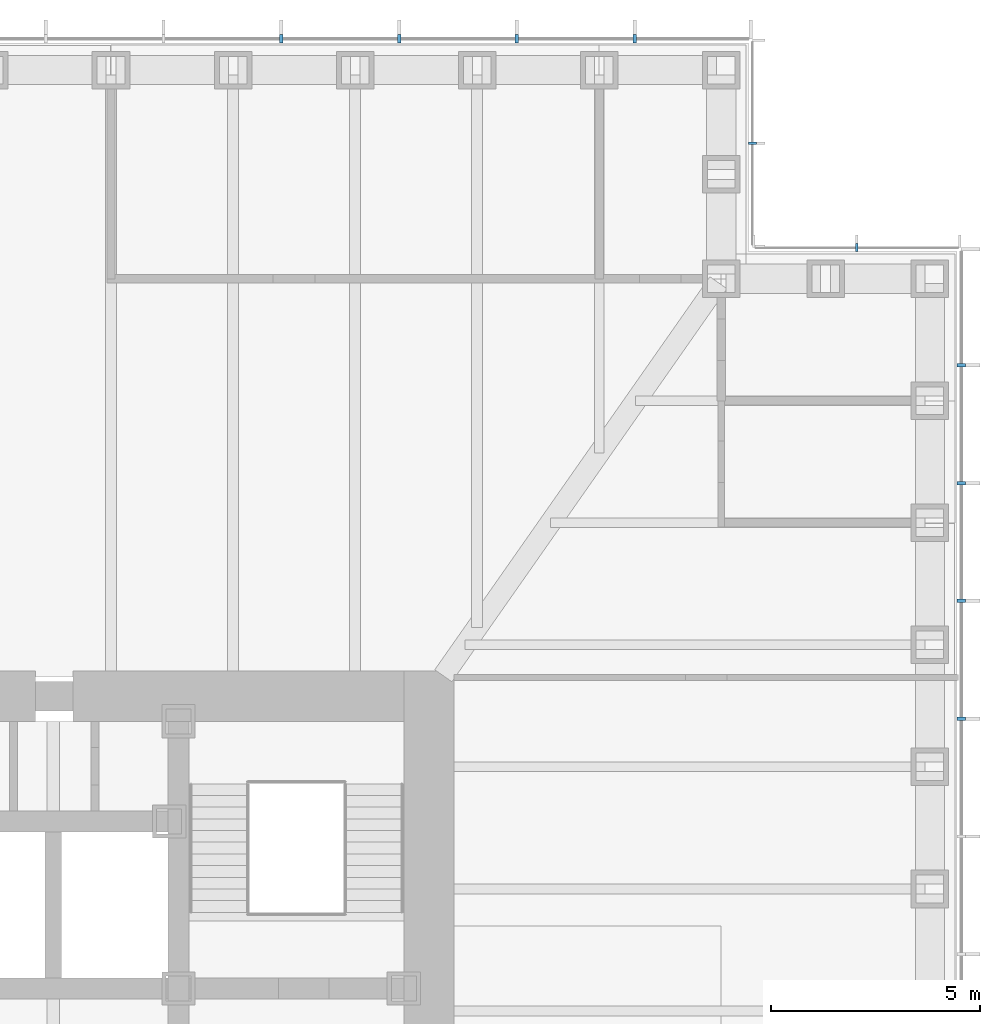
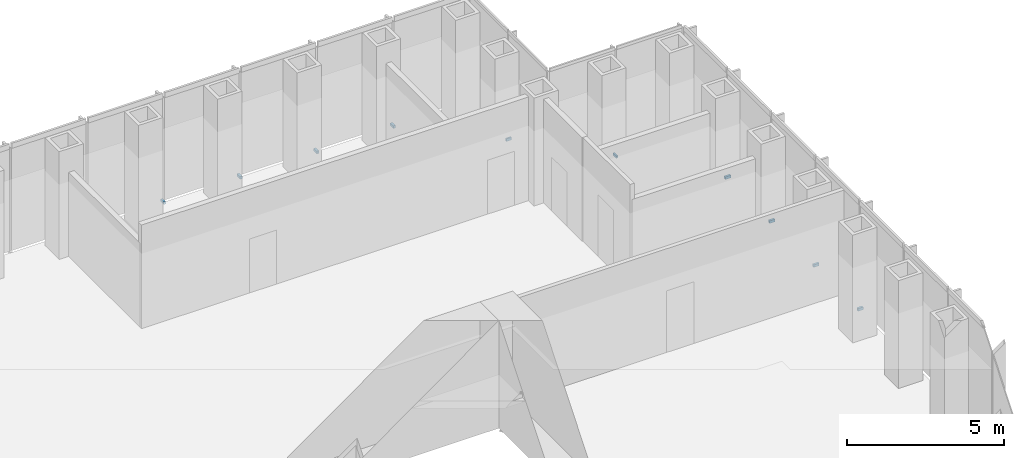
# One storey, part 16 of 17: 10 discrete accessories.
"""IFC4 building model written with IfcOpenShell, lengths in metres."""

from ifc_helpers import new_model, si_unit, direction, frame, origin, origin_2d, place, context, subcontext, project, spatial, rectangle, extrude, element, save


model = new_model("IFC4")

# Units and contexts
model_context = context("Model", 3, precision=1e-05, world=origin(), true_north=direction((0.0, 1.0)))
body_context = subcontext(model_context, "Body", "Model", "MODEL_VIEW")
ifc_project = project(units=[si_unit("LENGTHUNIT", "METRE"), si_unit("AREAUNIT", "SQUARE_METRE"), si_unit("VOLUMEUNIT", "CUBIC_METRE"), si_unit("PLANEANGLEUNIT", "RADIAN"), si_unit("MASSUNIT", "GRAM", prefix="KILO")], contexts=[model_context])

# Site, building, storey
site_placement = place(None, origin())
site = spatial("IfcSite", under=ifc_project, at=site_placement, CompositionType="ELEMENT")
building_placement = place(site_placement, origin())
building = spatial("IfcBuilding", under=site, at=building_placement, Name="Daluyong Arena Tower", CompositionType="ELEMENT")
storey_placement = place(building_placement, frame((0.0, 0.0, 85.300048828125)))
storey = spatial("IfcBuildingStorey", under=building, at=storey_placement, Name="L18", CompositionType="ELEMENT", Elevation=85.300048828125)

# Discrete accessories
for number, where, z_axis, x_axis, name in (
    (1, (80.75, 88.46435546875, -0.10009765625), (0.0, 0.0, 1.0), (0.0, 1.0, 0.0), "curtain wall L18 E anchor bracket 11"),
    (2, (80.75, 91.28564453125, -0.10009765625), (0.0, 0.0, 1.0), (0.0, 1.0, 0.0), "curtain wall L18 E anchor bracket 12"),
    (3, (80.75, 94.107177734375, -0.10009765625), (0.0, 0.0, 1.0), (0.0, 1.0, 0.0), "curtain wall L18 E anchor bracket 13"),
    (4, (80.75, 96.928466796875, -0.10009765625), (0.0, 0.0, 1.0), (0.0, 1.0, 0.0), "curtain wall L18 E anchor bracket 14"),
):
    element("IfcDiscreteAccessory", number, at=place(storey_placement, frame(where, z_axis=z_axis, x_axis=x_axis)), inside=storey, Name=name, PredefinedType="BRACKET", context=body_context, shape_type="SweptSolid", body=[
        extrude(rectangle(XDim=0.080078125, YDim=0.199951171875, at=origin_2d()), origin(), (0.0, 0.0, 1.0), 0.10009765625),
    ])
for number, where, z_axis, x_axis, name in (
    (5, (78.25, 99.75, -0.10009765625), (0.0, 0.0, 1.0), (-1.0, 0.0, 0.0), "curtain wall L18 NE-N anchor bracket 2"),
    (6, (75.75, 102.25, -0.10009765625), (0.0, 0.0, 1.0), (0.0, 1.0, 0.0), "curtain wall L18 NE-E anchor bracket 2"),
):
    element("IfcDiscreteAccessory", number, at=place(storey_placement, frame(where, z_axis=z_axis, x_axis=x_axis)), inside=storey, Name=name, PredefinedType="BRACKET", context=body_context, shape_type="SweptSolid", body=[
        extrude(rectangle(XDim=0.06005859375, YDim=0.199951171875, at=origin_2d()), origin(), (0.0, 0.0, 1.0), 0.10009765625),
    ])
for number, where, z_axis, x_axis, name in (
    (7, (72.928466796875, 104.75, -0.10009765625), (0.0, 0.0, 1.0), (-1.0, 0.0, 0.0), "curtain wall L18 N anchor bracket 2"),
    (8, (70.107177734375, 104.75, -0.10009765625), (0.0, 0.0, 1.0), (-1.0, 0.0, 0.0), "curtain wall L18 N anchor bracket 3"),
    (9, (67.28564453125, 104.75, -0.10009765625), (0.0, 0.0, 1.0), (-1.0, 0.0, 0.0), "curtain wall L18 N anchor bracket 4"),
    (10, (64.46435546875, 104.75, -0.10009765625), (0.0, 0.0, 1.0), (-1.0, 0.0, 0.0), "curtain wall L18 N anchor bracket 5"),
):
    element("IfcDiscreteAccessory", number, at=place(storey_placement, frame(where, z_axis=z_axis, x_axis=x_axis)), inside=storey, Name=name, PredefinedType="BRACKET", context=body_context, shape_type="SweptSolid", body=[
        extrude(rectangle(XDim=0.080078125, YDim=0.199951171875, at=origin_2d()), origin(), (0.0, 0.0, 1.0), 0.10009765625),
    ])

save(model, "model.ifc")
